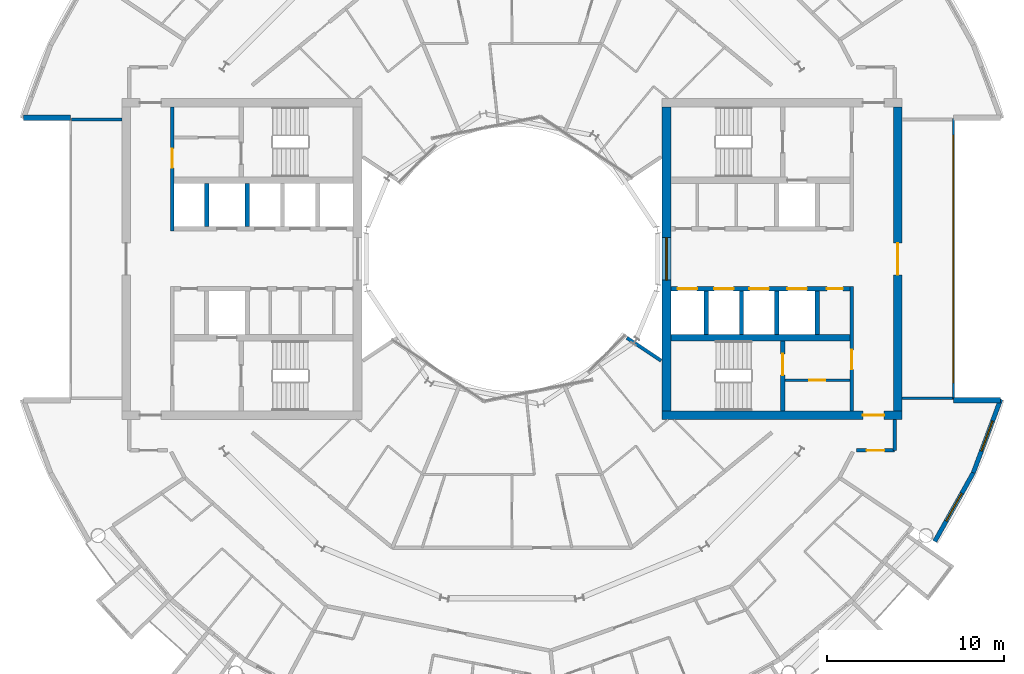
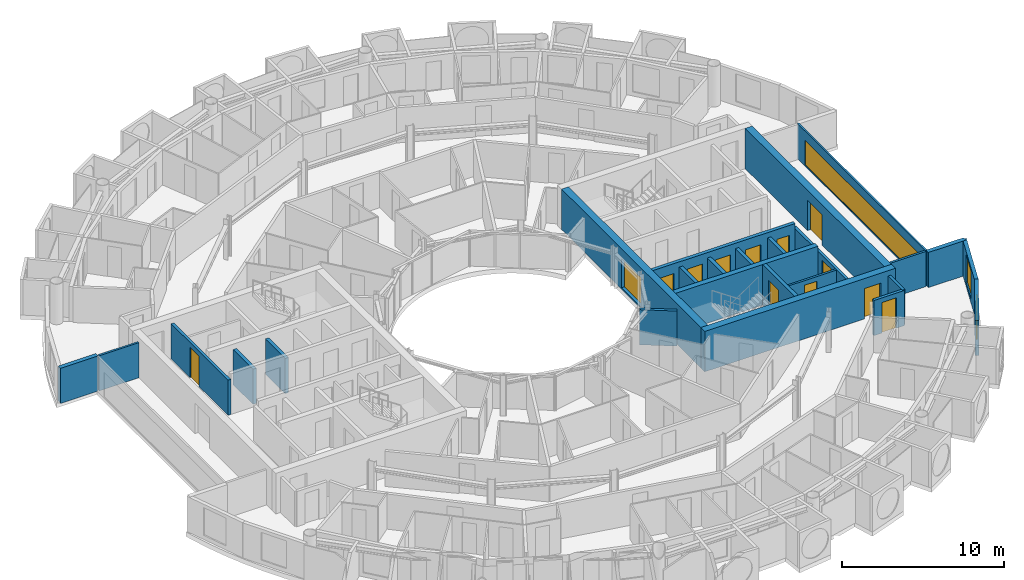
# One storey, part 18 of 26: 25 walls, 12 doors, 4 windows, 16 openings.
"""IFC4 building model written with IfcOpenShell, lengths in metres."""

from ifc_helpers import new_model, si_unit, direction, frame, frame_2d, origin, place, context, subcontext, project, spatial, rectangle, extrude, material, layer, layer_set, type_object, element, fill, save


model = new_model("IFC4")

# Units and contexts
model_context = context("Model", 3, precision=1e-05, world=origin(), true_north=direction((0.0, 1.0)))
body_context = subcontext(model_context, "Body", "Model", "MODEL_VIEW")
ifc_project = project(units=[si_unit("LENGTHUNIT", "METRE"), si_unit("AREAUNIT", "SQUARE_METRE"), si_unit("VOLUMEUNIT", "CUBIC_METRE"), si_unit("PLANEANGLEUNIT", "RADIAN"), si_unit("MASSUNIT", "GRAM", prefix="KILO")], contexts=[model_context])

# Site, building, storey
site_placement = place(None, origin())
site = spatial("IfcSite", under=ifc_project, at=site_placement, CompositionType="ELEMENT")
building_placement = place(site_placement, origin())
building = spatial("IfcBuilding", under=site, at=building_placement, Name="Maasbend Ring Residences", CompositionType="ELEMENT")
storey_placement = place(building_placement, frame((0.0, 0.0, 176.85009765625)))
storey = spatial("IfcBuildingStorey", under=building, at=storey_placement, Name="L51", CompositionType="ELEMENT", Elevation=176.85009765625)

# Wall, openings, doors
ifc_material_1 = material(Name="Concrete C60/75", Category="concrete")
ifc_layer_1 = layer(ifc_material_1, 0.25)
ifc_layer_set_1 = layer_set([ifc_layer_1], Name="Concrete C60/75")
wall_type_1 = type_object("IfcWallType", Name="CORE WALL 250 C60/75", PredefinedType="SHEAR", material=ifc_layer_set_1)
wall_1_placement = place(storey_placement, frame((19.14990234375, -1.699951171875, 0.0), z_axis=(0.0, 0.0, 1.0), x_axis=(-1.0, 0.0, 0.0)))
wall_1 = element("IfcWall", 1, at=wall_1_placement, inside=storey, type_object=wall_type_1, Name="L51 core E wall SPS", PredefinedType="SHEAR", context=body_context, shape_type="SweptSolid", body=[
    extrude(rectangle(XDim=10.14990234375, YDim=0.25, at=frame_2d((5.074951171875, 0.0))), origin(), (0.0, 0.0, 1.0), 3.0498046875),
])
opening_1_placement = place(wall_1_placement, frame((8.66259765625, 0.0, 0.0)))
opening_1 = element("IfcOpeningElement", 2, at=opening_1_placement, cuts=wall_1, Name="Opening LD-E5102", PredefinedType="OPENING", context=body_context, shape_type="SweptSolid", body=[
    extrude(rectangle(XDim=1.10009765625, YDim=2.300048828125, at=frame_2d((0.550048828125, 1.14990234375))), frame((0.0, 0.135009765625, 0.0), z_axis=(0.0, -1.0, 0.0), x_axis=(1.0, 0.0, 0.0)), (0.0, 0.0, 1.0), 0.27001953125),
])
opening_2_placement = place(wall_1_placement, frame((6.60009765625, 0.0, 0.0)))
opening_2 = element("IfcOpeningElement", 3, at=opening_2_placement, cuts=wall_1, Name="Opening LD-E5103", PredefinedType="OPENING", context=body_context, shape_type="SweptSolid", body=[
    extrude(rectangle(XDim=1.10009765625, YDim=2.300048828125, at=frame_2d((0.550048828125, 1.14990234375))), frame((0.0, 0.135009765625, 0.0), z_axis=(0.0, -1.0, 0.0), x_axis=(1.0, 0.0, 0.0)), (0.0, 0.0, 1.0), 0.27001953125),
])
opening_3_placement = place(wall_1_placement, frame((4.60009765625, 0.0, 0.0)))
opening_3 = element("IfcOpeningElement", 4, at=opening_3_placement, cuts=wall_1, Name="Opening LD-E5104", PredefinedType="OPENING", context=body_context, shape_type="SweptSolid", body=[
    extrude(rectangle(XDim=1.10009765625, YDim=2.300048828125, at=frame_2d((0.550048828125, 1.14990234375))), frame((0.0, 0.135009765625, 0.0), z_axis=(0.0, -1.0, 0.0), x_axis=(1.0, 0.0, 0.0)), (0.0, 0.0, 1.0), 0.27001953125),
])
opening_4_placement = place(wall_1_placement, frame((2.449951171875, 0.0, 0.0)))
opening_4 = element("IfcOpeningElement", 5, at=opening_4_placement, cuts=wall_1, Name="Opening LD-E5105", PredefinedType="OPENING", context=body_context, shape_type="SweptSolid", body=[
    extrude(rectangle(XDim=1.10009765625, YDim=2.300048828125, at=frame_2d((0.550048828125, 1.14990234375))), frame((0.0, 0.135009765625, 0.0), z_axis=(0.0, -1.0, 0.0), x_axis=(1.0, 0.0, 0.0)), (0.0, 0.0, 1.0), 0.27001953125),
])
opening_5_placement = place(wall_1_placement, frame((0.41259765625, 0.0, 0.0)))
opening_5 = element("IfcOpeningElement", 6, at=opening_5_placement, cuts=wall_1, Name="Opening D-E5110", PredefinedType="OPENING", context=body_context, shape_type="SweptSolid", body=[
    extrude(rectangle(XDim=0.89990234375, YDim=2.300048828125, at=frame_2d((0.449951171875, 1.14990234375))), frame((0.0, 0.135009765625, 0.0), z_axis=(0.0, -1.0, 0.0), x_axis=(1.0, 0.0, 0.0)), (0.0, 0.0, 1.0), 0.27001953125),
])
ifc_material_2 = material(Name="Stainless steel 316", Category="steel")
door_type_1 = type_object("IfcDoorType", Name="LANDING DOOR 1100 X 2300 FD60", OperationType="DOUBLE_DOOR_SLIDING", PredefinedType="DOOR", material=ifc_material_2)
door_1_placement = place(opening_1_placement, origin())
door_1 = element("IfcDoor", 7, at=door_1_placement, inside=storey, type_object=door_type_1, Name="Landing door HR-E1 L51", OperationType="DOUBLE_DOOR_SLIDING", OverallHeight=2.300048828125, OverallWidth=1.10009765625, PredefinedType="DOOR", context=body_context, shape_type="SweptSolid", body=[
    extrude(rectangle(XDim=1.10009765625, YDim=2.300048828125, at=frame_2d((0.550048828125, 1.14990234375))), frame((0.0, 0.02490234375, 0.0), z_axis=(0.0, -1.0, 0.0), x_axis=(1.0, 0.0, 0.0)), (0.0, 0.0, 1.0), 0.050048828125),
])
fill(opening_1, door_1)
door_2_placement = place(opening_2_placement, origin())
door_2 = element("IfcDoor", 8, at=door_2_placement, inside=storey, type_object=door_type_1, Name="Landing door HR-E2 L51", OperationType="DOUBLE_DOOR_SLIDING", OverallHeight=2.300048828125, OverallWidth=1.10009765625, PredefinedType="DOOR", context=body_context, shape_type="SweptSolid", body=[
    extrude(rectangle(XDim=1.10009765625, YDim=2.300048828125, at=frame_2d((0.550048828125, 1.14990234375))), frame((0.0, 0.02490234375, 0.0), z_axis=(0.0, -1.0, 0.0), x_axis=(1.0, 0.0, 0.0)), (0.0, 0.0, 1.0), 0.050048828125),
])
fill(opening_2, door_2)
door_3_placement = place(opening_3_placement, origin())
door_3 = element("IfcDoor", 9, at=door_3_placement, inside=storey, type_object=door_type_1, Name="Landing door HR-E3 L51", OperationType="DOUBLE_DOOR_SLIDING", OverallHeight=2.300048828125, OverallWidth=1.10009765625, PredefinedType="DOOR", context=body_context, shape_type="SweptSolid", body=[
    extrude(rectangle(XDim=1.10009765625, YDim=2.300048828125, at=frame_2d((0.550048828125, 1.14990234375))), frame((0.0, 0.02490234375, 0.0), z_axis=(0.0, -1.0, 0.0), x_axis=(1.0, 0.0, 0.0)), (0.0, 0.0, 1.0), 0.050048828125),
])
fill(opening_3, door_3)
door_4_placement = place(opening_4_placement, origin())
door_4 = element("IfcDoor", 10, at=door_4_placement, inside=storey, type_object=door_type_1, Name="Landing door SV-E L51", OperationType="DOUBLE_DOOR_SLIDING", OverallHeight=2.300048828125, OverallWidth=1.10009765625, PredefinedType="DOOR", context=body_context, shape_type="SweptSolid", body=[
    extrude(rectangle(XDim=1.10009765625, YDim=2.300048828125, at=frame_2d((0.550048828125, 1.14990234375))), frame((0.0, 0.02490234375, 0.0), z_axis=(0.0, -1.0, 0.0), x_axis=(1.0, 0.0, 0.0)), (0.0, 0.0, 1.0), 0.050048828125),
])
fill(opening_4, door_4)
ifc_material_3 = material(Name="Steel, powder coated", Category="steel")
door_type_2 = type_object("IfcDoorType", Name="ROOM DOOR 900 X 2300 FD30S", OperationType="NOTDEFINED", PredefinedType="DOOR", material=ifc_material_3)
door_5_placement = place(opening_5_placement, origin())
door_5 = element("IfcDoor", 11, at=door_5_placement, inside=storey, type_object=door_type_2, Name="Room door L51", OperationType="SINGLE_SWING_RIGHT", OverallHeight=2.300048828125, OverallWidth=0.89990234375, PredefinedType="DOOR", context=body_context, shape_type="SweptSolid", body=[
    extrude(rectangle(XDim=0.89990234375, YDim=2.300048828125, at=frame_2d((0.449951171875, 1.14990234375))), frame((0.0, 0.02490234375, 0.0), z_axis=(0.0, -1.0, 0.0), x_axis=(1.0, 0.0, 0.0)), (0.0, 0.0, 1.0), 0.050048828125),
])
fill(opening_5, door_5)

# Wall, opening, door
wall_2_placement = place(storey_placement, frame((15.324951171875, -8.60009765625, 0.0), z_axis=(0.0, 0.0, 1.0), x_axis=(0.0, 1.0, 0.0)))
wall_2 = element("IfcWall", 12, at=wall_2_placement, inside=storey, type_object=wall_type_1, Name="L51 core E wall STES", PredefinedType="SHEAR", context=body_context, shape_type="SweptSolid", body=[
    extrude(rectangle(XDim=3.9501953125, YDim=0.25, at=frame_2d((1.97509765625, 0.0))), origin(), (0.0, 0.0, 1.0), 3.0498046875),
])
opening_6_placement = place(wall_2_placement, frame((2.02490234375, 0.0, 0.0)))
opening_6 = element("IfcOpeningElement", 13, at=opening_6_placement, cuts=wall_2, Name="Opening D-E5113", PredefinedType="OPENING", context=body_context, shape_type="SweptSolid", body=[
    extrude(rectangle(XDim=1.199951171875, YDim=2.300048828125, at=frame_2d((0.60009765625, 1.14990234375))), frame((0.0, 0.135009765625, 0.0), z_axis=(0.0, -1.0, 0.0), x_axis=(1.0, 0.0, 0.0)), (0.0, 0.0, 1.0), 0.27001953125),
])
ifc_material_4 = material(Name="Steel, powder coated", Category="steel")
door_type_3 = type_object("IfcDoorType", Name="STAIR DOOR 1200 X 2300 FD60", OperationType="NOTDEFINED", PredefinedType="DOOR", material=ifc_material_4)
door_6_placement = place(opening_6_placement, origin())
door_6 = element("IfcDoor", 14, at=door_6_placement, inside=storey, type_object=door_type_3, Name="Stair door ST-E L51", OperationType="SINGLE_SWING_LEFT", OverallHeight=2.300048828125, OverallWidth=1.199951171875, PredefinedType="DOOR", context=body_context, shape_type="SweptSolid", body=[
    extrude(rectangle(XDim=1.199951171875, YDim=2.300048828125, at=frame_2d((0.60009765625, 1.14990234375))), frame((0.0, 0.02490234375, 0.0), z_axis=(0.0, -1.0, 0.0), x_axis=(1.0, 0.0, 0.0)), (0.0, 0.0, 1.0), 0.050048828125),
])
fill(opening_6, door_6)

# Wall
ifc_material_5 = material(Name="Concrete C60/75", Category="concrete")
ifc_layer_2 = layer(ifc_material_5, 0.375)
ifc_layer_set_2 = layer_set([ifc_layer_2], Name="Concrete C60/75")
wall_type_2 = type_object("IfcWallType", Name="CORE WALL 375 C60/75", PredefinedType="SHEAR", material=ifc_layer_set_2)
wall_3_placement = place(storey_placement, frame((9.0, -4.46240234375, 0.0), z_axis=(0.0, 0.0, 1.0), x_axis=(1.0, 0.0, 0.0)))
element("IfcWall", 15, at=wall_3_placement, inside=storey, type_object=wall_type_2, Name="L51 core E wall BS", PredefinedType="SHEAR", context=body_context, shape_type="SweptSolid", body=[
    extrude(rectangle(XDim=10.14990234375, YDim=0.375, at=frame_2d((5.074951171875, 0.0))), origin(), (0.0, 0.0, 1.0), 3.0498046875),
])

# Wall, opening, door
ifc_material_6 = material(Name="Concrete C60/75", Category="concrete")
ifc_layer_3 = layer(ifc_material_6, 0.5)
ifc_layer_set_3 = layer_set([ifc_layer_3], Name="Concrete C60/75")
wall_type_3 = type_object("IfcWallType", Name="CORE WALL 500 C60/75", PredefinedType="SHEAR", material=ifc_layer_set_3)
wall_4_placement = place(storey_placement, frame((8.5, -8.85009765625, 0.0), z_axis=(0.0, 0.0, 1.0), x_axis=(1.0, 0.0, 0.0)))
wall_4 = element("IfcWall", 16, at=wall_4_placement, inside=storey, type_object=wall_type_3, Name="L51 core E wall PS", PredefinedType="SHEAR", context=body_context, shape_type="SweptSolid", body=[
    extrude(rectangle(XDim=13.60009765625, YDim=0.5, at=frame_2d((6.800048828125, 0.0))), origin(), (0.0, 0.0, 1.0), 3.0498046875),
])
opening_7_placement = place(wall_4_placement, frame((11.375, 0.0, 0.0)))
opening_7 = element("IfcOpeningElement", 17, at=opening_7_placement, cuts=wall_4, Name="Opening D-E5117", PredefinedType="OPENING", context=body_context, shape_type="SweptSolid", body=[
    extrude(rectangle(XDim=1.199951171875, YDim=2.300048828125, at=frame_2d((0.60009765625, 1.14990234375))), frame((0.0, 0.260009765625, 0.0), z_axis=(0.0, -1.0, 0.0), x_axis=(1.0, 0.0, 0.0)), (0.0, 0.0, 1.0), 0.52001953125),
])
ifc_material_7 = material(Name="Steel, powder coated", Category="steel")
door_type_4 = type_object("IfcDoorType", Name="CORRIDOR DOOR 1200 X 2300 FD30S", OperationType="NOTDEFINED", PredefinedType="DOOR", material=ifc_material_7)
door_7_placement = place(opening_7_placement, origin())
door_7 = element("IfcDoor", 18, at=door_7_placement, inside=storey, type_object=door_type_4, Name="Corridor door L51", OperationType="SINGLE_SWING_LEFT", OverallHeight=2.300048828125, OverallWidth=1.199951171875, PredefinedType="DOOR", context=body_context, shape_type="SweptSolid", body=[
    extrude(rectangle(XDim=1.199951171875, YDim=2.300048828125, at=frame_2d((0.60009765625, 1.14990234375))), frame((0.0, 0.02490234375, 0.0), z_axis=(0.0, -1.0, 0.0), x_axis=(1.0, 0.0, 0.0)), (0.0, 0.0, 1.0), 0.050048828125),
])
fill(opening_7, door_7)

wall_5_placement = place(storey_placement, frame((21.85009765625, 8.60009765625, 0.0), z_axis=(0.0, 0.0, 1.0), x_axis=(0.0, -1.0, 0.0)))
wall_5 = element("IfcWall", 19, at=wall_5_placement, inside=storey, type_object=wall_type_3, Name="L51 core E wall POUT", PredefinedType="SHEAR", context=body_context, shape_type="SweptSolid", body=[
    extrude(rectangle(XDim=17.2001953125, YDim=0.5, at=frame_2d((8.60009765625, 0.0))), origin(), (0.0, 0.0, 1.0), 3.0498046875),
])
opening_8_placement = place(wall_5_placement, frame((7.699951171875, 0.0, 0.0)))
opening_8 = element("IfcOpeningElement", 20, at=opening_8_placement, cuts=wall_5, Name="Opening D-E5118", PredefinedType="OPENING", context=body_context, shape_type="SweptSolid", body=[
    extrude(rectangle(XDim=1.800048828125, YDim=2.300048828125, at=frame_2d((0.89990234375, 1.14990234375))), frame((0.0, 0.260009765625, 0.0), z_axis=(0.0, -1.0, 0.0), x_axis=(1.0, 0.0, 0.0)), (0.0, 0.0, 1.0), 0.52001953125),
])
ifc_material_8 = material(Name="Aluminium frame, clear glass", Category="aluminium")
door_type_5 = type_object("IfcDoorType", Name="ENTRANCE DOOR 1800 X 2300 FD60", OperationType="NOTDEFINED", PredefinedType="DOOR", material=ifc_material_8)
door_8_placement = place(opening_8_placement, origin())
door_8 = element("IfcDoor", 21, at=door_8_placement, inside=storey, type_object=door_type_5, Name="Lobby glazed door L51", OperationType="SINGLE_SWING_LEFT", OverallHeight=2.300048828125, OverallWidth=1.800048828125, PredefinedType="DOOR", context=body_context, shape_type="SweptSolid", body=[
    extrude(rectangle(XDim=1.800048828125, YDim=2.300048828125, at=frame_2d((0.89990234375, 1.14990234375))), frame((0.0, 0.02490234375, 0.0), z_axis=(0.0, -1.0, 0.0), x_axis=(1.0, 0.0, 0.0)), (0.0, 0.0, 1.0), 0.050048828125),
])
fill(opening_8, door_8)

# Wall, opening, window
wall_6_placement = place(storey_placement, frame((8.75, -8.60009765625, 0.0), z_axis=(0.0, 0.0, 1.0), x_axis=(0.0, 1.0, 0.0)))
wall_6 = element("IfcWall", 22, at=wall_6_placement, inside=storey, type_object=wall_type_3, Name="L51 core E wall PIN", PredefinedType="SHEAR", context=body_context, shape_type="SweptSolid", body=[
    extrude(rectangle(XDim=17.2001953125, YDim=0.5, at=frame_2d((8.60009765625, 0.0))), origin(), (0.0, 0.0, 1.0), 3.0498046875),
])
opening_9_placement = place(wall_6_placement, frame((7.39990234375, 0.0, 0.10009765625)))
opening_9 = element("IfcOpeningElement", 23, at=opening_9_placement, cuts=wall_6, Name="Opening W-E5101", PredefinedType="OPENING", context=body_context, shape_type="SweptSolid", body=[
    extrude(rectangle(XDim=2.39990234375, YDim=2.199951171875, at=frame_2d((1.199951171875, 1.10009765625))), frame((0.0, 0.260009765625, 0.0), z_axis=(0.0, -1.0, 0.0), x_axis=(1.0, 0.0, 0.0)), (0.0, 0.0, 1.0), 0.52001953125),
])
ifc_material_9 = material(Name="Aluminium frame and clear glass", Category="aluminium")
window_type_1 = type_object("IfcWindowType", Name="FIXED WINDOW 2400 X 2200", PartitioningType="SINGLE_PANEL", PredefinedType="WINDOW", material=ifc_material_9)
window_1_placement = place(opening_9_placement, origin())
window_1 = element("IfcWindow", 24, at=window_1_placement, inside=storey, type_object=window_type_1, Name="Lobby window L51", OverallHeight=2.199951171875, OverallWidth=2.39990234375, PartitioningType="SINGLE_PANEL", PredefinedType="WINDOW", context=body_context, shape_type="SweptSolid", body=[
    extrude(rectangle(XDim=2.39990234375, YDim=2.199951171875, at=frame_2d((1.199951171875, 1.10009765625))), frame((0.0, 0.030029296875, 0.0), z_axis=(0.0, -1.0, 0.0), x_axis=(1.0, 0.0, 0.0)), (0.0, 0.0, 1.0), 0.06005859375),
])
fill(opening_9, window_1)

# Wall
ifc_material_10 = material(Name="Concrete C30/37", Category="concrete")
ifc_layer_4 = layer(ifc_material_10, 0.199951171875)
ifc_layer_set_4 = layer_set([ifc_layer_4], Name="Concrete C30/37")
wall_type_4 = type_object("IfcWallType", Name="CORRIDOR WALL 200 CONCRETE", PredefinedType="PARTITIONING", material=ifc_layer_set_4)
wall_7_placement = place(storey_placement, frame((21.675048828125, -10.85009765625, 0.0), z_axis=(0.0, 0.0, 1.0), x_axis=(0.0, 1.0, 0.0)))
element("IfcWall", 25, at=wall_7_placement, inside=storey, type_object=wall_type_4, Name="U-L51-w012", PredefinedType="PARTITIONING", context=body_context, shape_type="SweptSolid", body=[
    extrude(rectangle(XDim=1.75, YDim=0.199951171875, at=frame_2d((0.875, 0.0))), origin(), (0.0, 0.0, 1.0), 2.64990234375),
])

# Wall, opening, door
wall_8_placement = place(storey_placement, frame((19.50390625, -10.85009765625, 0.0), z_axis=(0.0, 0.0, 1.0), x_axis=(1.0, 0.0, 0.0)))
wall_8 = element("IfcWall", 26, at=wall_8_placement, inside=storey, type_object=wall_type_4, Name="U-L51-w027", PredefinedType="PARTITIONING", context=body_context, shape_type="SweptSolid", body=[
    extrude(rectangle(XDim=2.171142578125, YDim=0.199951171875, at=frame_2d((1.08544921875, 0.0))), origin(), (0.0, 0.0, 1.0), 2.64990234375),
])
opening_10_placement = place(wall_8_placement, frame((0.5849609375, 0.0, 0.0)))
opening_10 = element("IfcOpeningElement", 27, at=opening_10_placement, cuts=wall_8, Name="Opening D-5167", PredefinedType="OPENING", context=body_context, shape_type="SweptSolid", body=[
    extrude(rectangle(XDim=1.0, YDim=2.300048828125, at=frame_2d((0.5, 1.14990234375))), frame((0.0, 0.10986328125, 0.0), z_axis=(0.0, -1.0, 0.0), x_axis=(1.0, 0.0, 0.0)), (0.0, 0.0, 1.0), 0.219970703125),
])
ifc_material_11 = material(Name="Timber, painted", Category="wood")
door_type_6 = type_object("IfcDoorType", Name="ROOM DOOR 1000 X 2300", OperationType="NOTDEFINED", PredefinedType="DOOR", material=ifc_material_11)
door_9_placement = place(opening_10_placement, origin())
door_9 = element("IfcDoor", 28, at=door_9_placement, inside=storey, type_object=door_type_6, Name="D-5167", OperationType="SINGLE_SWING_LEFT", OverallHeight=2.300048828125, OverallWidth=1.0, PredefinedType="DOOR", context=body_context, shape_type="SweptSolid", body=[
    extrude(rectangle(XDim=1.0, YDim=2.300048828125, at=frame_2d((0.5, 1.14990234375))), frame((0.0, 0.02490234375, 0.0), z_axis=(0.0, -1.0, 0.0), x_axis=(1.0, 0.0, 0.0)), (0.0, 0.0, 1.0), 0.050048828125),
])
fill(opening_10, door_9)

# Wall, opening, window
ifc_material_12 = material(Name="Aluminium clad insulated panel", Category="aluminium")
ifc_layer_5 = layer(ifc_material_12, 0.25)
ifc_layer_set_5 = layer_set([ifc_layer_5], Name="EW-HORN")
wall_type_5 = type_object("IfcWallType", Name="EW-HORN", PredefinedType="SOLIDWALL", material=ifc_layer_set_5)
wall_9_placement = place(storey_placement, frame((23.946044921875, -16.0, 0.0), z_axis=(0.0, 0.0, 1.0), x_axis=(0.489696356642, 0.871893042919, 0.0)))
wall_9 = element("IfcWall", 29, at=wall_9_placement, inside=storey, type_object=wall_type_5, Name="Horn wall 2.1", PredefinedType="SOLIDWALL", context=body_context, shape_type="SweptSolid", body=[
    extrude(rectangle(XDim=4.45361328125, YDim=0.25, at=frame_2d((2.226806640625, 0.0))), origin(), (0.0, 0.0, 1.0), 2.64990234375),
])
opening_11_placement = place(wall_9_placement, frame((1.32666015625, 0.0, 0.300048828125)))
opening_11 = element("IfcOpeningElement", 30, at=opening_11_placement, cuts=wall_9, Name="Opening W-BX", PredefinedType="OPENING", context=body_context, shape_type="SweptSolid", body=[
    extrude(rectangle(XDim=1.800048828125, YDim=2.10009765625, at=frame_2d((0.89990234375, 1.050048828125))), frame((0.0, 0.135009765625, 0.0), z_axis=(0.0, -1.0, 0.0), x_axis=(1.0, 0.0, 0.0)), (0.0, 0.0, 1.0), 0.27001953125),
])
ifc_material_13 = material(Name="Aluminium and clear glass", Category="aluminium")
window_type_2 = type_object("IfcWindowType", Name="W-BX", PartitioningType="DOUBLE_PANEL_VERTICAL", PredefinedType="WINDOW", material=ifc_material_13)
window_2_placement = place(opening_11_placement, origin())
window_2 = element("IfcWindow", 31, at=window_2_placement, inside=storey, type_object=window_type_2, Name="Horn window 2.1", OverallHeight=2.10009765625, OverallWidth=1.800048828125, PartitioningType="SINGLE_PANEL", PredefinedType="WINDOW", context=body_context, shape_type="SweptSolid", body=[
    extrude(rectangle(XDim=1.800048828125, YDim=2.10009765625, at=frame_2d((0.89990234375, 1.050048828125))), frame((0.0, 0.030029296875, 0.0), z_axis=(0.0, -1.0, 0.0), x_axis=(1.0, 0.0, 0.0)), (0.0, 0.0, 1.0), 0.06005859375),
])
fill(opening_11, window_2)

wall_10_placement = place(storey_placement, frame((26.126953125, -12.116943359375, 0.0), z_axis=(0.0, 0.0, 1.0), x_axis=(0.349247811493, 0.937030397675, 0.0)))
wall_10 = element("IfcWall", 32, at=wall_10_placement, inside=storey, type_object=wall_type_5, Name="Horn wall 2.2", PredefinedType="SOLIDWALL", context=body_context, shape_type="SweptSolid", body=[
    extrude(rectangle(XDim=4.4521484375, YDim=0.25, at=frame_2d((2.22607421875, 0.0))), origin(), (0.0, 0.0, 1.0), 2.64990234375),
])
opening_12_placement = place(wall_10_placement, frame((1.32666015625, 0.0, 0.300048828125)))
opening_12 = element("IfcOpeningElement", 33, at=opening_12_placement, cuts=wall_10, Name="Opening W-BX", PredefinedType="OPENING", context=body_context, shape_type="SweptSolid", body=[
    extrude(rectangle(XDim=1.800048828125, YDim=2.10009765625, at=frame_2d((0.89990234375, 1.050048828125))), frame((0.0, 0.135009765625, 0.0), z_axis=(0.0, -1.0, 0.0), x_axis=(1.0, 0.0, 0.0)), (0.0, 0.0, 1.0), 0.27001953125),
])
window_3_placement = place(opening_12_placement, origin())
window_3 = element("IfcWindow", 34, at=window_3_placement, inside=storey, type_object=window_type_2, Name="Horn window 2.2", OverallHeight=2.10009765625, OverallWidth=1.800048828125, PartitioningType="SINGLE_PANEL", PredefinedType="WINDOW", context=body_context, shape_type="SweptSolid", body=[
    extrude(rectangle(XDim=1.800048828125, YDim=2.10009765625, at=frame_2d((0.89990234375, 1.050048828125))), frame((0.0, 0.030029296875, 0.0), z_axis=(0.0, -1.0, 0.0), x_axis=(1.0, 0.0, 0.0)), (0.0, 0.0, 1.0), 0.06005859375),
])
fill(opening_12, window_3)

# Walls
ifc_material_14 = material(Name="Aluminium clad insulated panel", Category="aluminium")
ifc_layer_6 = layer(ifc_material_14, 0.300048828125)
ifc_layer_set_6 = layer_set([ifc_layer_6], Name="EW-RET")
wall_type_6 = type_object("IfcWallType", Name="EW-RET", PredefinedType="SOLIDWALL", material=ifc_layer_set_6)
for number, where, z_axis, x_axis, name in (
    (35, (25.0, -8.0, 0.0), (0.0, 0.0, 1.0), (1.0, 0.0, 0.0), "Notch return wall east south"),
    (36, (-25.0, 8.0, 0.0), (0.0, 0.0, 1.0), (-1.0, 0.0, 0.0), "Notch return wall west north"),
):
    element("IfcWall", number, at=place(storey_placement, frame(where, z_axis=z_axis, x_axis=x_axis)), inside=storey, type_object=wall_type_6, Name=name, PredefinedType="SOLIDWALL", context=body_context, shape_type="SweptSolid", body=[
        extrude(rectangle(XDim=2.6669921875, YDim=0.300048828125, at=frame_2d((1.33349609375, 0.0))), origin(), (0.0, 0.0, 1.0), 2.64990234375),
    ])

# Wall, opening, window
ifc_material_15 = material(Name="Aluminium frame and clear glass", Category="aluminium")
ifc_layer_7 = layer(ifc_material_15, 0.1201171875)
ifc_layer_set_7 = layer_set([ifc_layer_7], Name="GLAZED SCREEN WALL 120 EI 60")
wall_type_7 = type_object("IfcWallType", Name="GLAZED SCREEN WALL 120 EI 60", PredefinedType="PARTITIONING", material=ifc_layer_set_7)
wall_11_placement = place(storey_placement, frame((25.0, -7.949951171875, 0.0), z_axis=(0.0, 0.0, 1.0), x_axis=(0.0, 1.0, 0.0)))
wall_11 = element("IfcWall", 37, at=wall_11_placement, inside=storey, type_object=wall_type_7, Name="L51 core E wall FACE", PredefinedType="PARTITIONING", context=body_context, shape_type="SweptSolid", body=[
    extrude(rectangle(XDim=15.89990234375, YDim=0.1201171875, at=frame_2d((7.949951171875, 0.0))), origin(), (0.0, 0.0, 1.0), 2.64990234375),
])
opening_13_placement = place(wall_11_placement, frame((0.949951171875, 0.0, 0.10009765625)))
opening_13 = element("IfcOpeningElement", 38, at=opening_13_placement, cuts=wall_11, Name="Opening W-E5102", PredefinedType="OPENING", context=body_context, shape_type="SweptSolid", body=[
    extrude(rectangle(XDim=14.0, YDim=1.85009765625, at=frame_2d((7.0, 0.925048828125))), frame((0.0, 0.070068359375, 0.0), z_axis=(0.0, -1.0, 0.0), x_axis=(1.0, 0.0, 0.0)), (0.0, 0.0, 1.0), 0.14013671875),
])
ifc_material_16 = material(Name="Aluminium frame and clear glass", Category="aluminium")
window_type_3 = type_object("IfcWindowType", Name="FIXED WINDOW 14000 X 1850", PartitioningType="SINGLE_PANEL", PredefinedType="WINDOW", material=ifc_material_16)
window_4_placement = place(opening_13_placement, origin())
window_4 = element("IfcWindow", 39, at=window_4_placement, inside=storey, type_object=window_type_3, Name="Lobby window L51", OverallHeight=1.85009765625, OverallWidth=14.0, PartitioningType="SINGLE_PANEL", PredefinedType="WINDOW", context=body_context, shape_type="SweptSolid", body=[
    extrude(rectangle(XDim=14.0, YDim=1.85009765625, at=frame_2d((7.0, 0.925048828125))), frame((0.0, 0.030029296875, 0.0), z_axis=(0.0, -1.0, 0.0), x_axis=(1.0, 0.0, 0.0)), (0.0, 0.0, 1.0), 0.06005859375),
])
fill(opening_13, window_4)

# Wall, opening, door
ifc_material_17 = material(Name="Gypsum board on steel studs", Category="steel")
ifc_layer_8 = layer(ifc_material_17, 0.14990234375)
ifc_layer_set_8 = layer_set([ifc_layer_8], Name="PARTITION 150 EI 60")
wall_type_8 = type_object("IfcWallType", Name="PARTITION 150 EI 60", PredefinedType="PARTITIONING", material=ifc_layer_set_8)
wall_12_placement = place(storey_placement, frame((15.449951171875, -6.875, 0.0), z_axis=(0.0, 0.0, 1.0), x_axis=(1.0, 0.0, 0.0)))
wall_12 = element("IfcWall", 40, at=wall_12_placement, inside=storey, type_object=wall_type_8, Name="L51 core E wall RHS", PredefinedType="PARTITIONING", context=body_context, shape_type="SweptSolid", body=[
    extrude(rectangle(XDim=3.699951171875, YDim=0.14990234375, at=frame_2d((1.85009765625, 0.0))), origin(), (0.0, 0.0, 1.0), 2.64990234375),
])
opening_14_placement = place(wall_12_placement, frame((1.39990234375, 0.0, 0.0)))
opening_14 = element("IfcOpeningElement", 41, at=opening_14_placement, cuts=wall_12, Name="Opening D-E5111", PredefinedType="OPENING", context=body_context, shape_type="SweptSolid", body=[
    extrude(rectangle(XDim=0.89990234375, YDim=2.300048828125, at=frame_2d((0.449951171875, 1.14990234375))), frame((0.0, 0.0849609375, 0.0), z_axis=(0.0, -1.0, 0.0), x_axis=(1.0, 0.0, 0.0)), (0.0, 0.0, 1.0), 0.169921875),
])
ifc_material_18 = material(Name="Steel, powder coated", Category="steel")
door_type_7 = type_object("IfcDoorType", Name="RISER DOOR 900 X 2300 FD60", OperationType="NOTDEFINED", PredefinedType="DOOR", material=ifc_material_18)
door_10_placement = place(opening_14_placement, origin())
door_10 = element("IfcDoor", 42, at=door_10_placement, inside=storey, type_object=door_type_7, Name="Riser door L51", OperationType="SINGLE_SWING_LEFT", OverallHeight=2.300048828125, OverallWidth=0.89990234375, PredefinedType="DOOR", context=body_context, shape_type="SweptSolid", body=[
    extrude(rectangle(XDim=0.89990234375, YDim=2.300048828125, at=frame_2d((0.449951171875, 1.14990234375))), frame((0.0, 0.02490234375, 0.0), z_axis=(0.0, -1.0, 0.0), x_axis=(1.0, 0.0, 0.0)), (0.0, 0.0, 1.0), 0.050048828125),
])
fill(opening_14, door_10)

# Walls
for number, where, z_axis, x_axis, name in (
    (43, (22.10009765625, -7.89990234375, 0.0), (0.0, 0.0, 1.0), (1.0, 0.0, 0.0), "L51 core E wall CITS"),
    (44, (-22.10009765625, 7.89990234375, 0.0), (0.0, 0.0, 1.0), (-1.0, 0.0, 0.0), "L51 core W wall CITS"),
):
    element("IfcWall", number, at=place(storey_placement, frame(where, z_axis=z_axis, x_axis=x_axis)), inside=storey, type_object=wall_type_8, Name=name, PredefinedType="PARTITIONING", context=body_context, shape_type="SweptSolid", body=[
        extrude(rectangle(XDim=2.83984375, YDim=0.14990234375, at=frame_2d((1.419921875, 0.0))), origin(), (0.0, 0.0, 1.0), 2.64990234375),
    ])
ifc_material_19 = material(Name="Concrete C30/37", Category="concrete")
ifc_layer_9 = layer(ifc_material_19, 0.199951171875)
ifc_layer_set_9 = layer_set([ifc_layer_9], Name="Concrete C30/37")
wall_type_9 = type_object("IfcWallType", Name="PARTY WALL 200 CONCRETE", PredefinedType="PARTITIONING", material=ifc_layer_set_9)
wall_13_placement = place(storey_placement, frame((6.512939453125, -4.471923828125, 0.0), z_axis=(0.0, 0.0, 1.0), x_axis=(0.83133816625, -0.555766905579, 0.0)))
element("IfcWall", 45, at=wall_13_placement, inside=storey, type_object=wall_type_9, Name="U-L51-w029", PredefinedType="PARTITIONING", context=body_context, shape_type="SweptSolid", body=[
    extrude(rectangle(XDim=2.322998046875, YDim=0.199951171875, at=frame_2d((1.16162109375, 0.0))), origin(), (0.0, 0.0, 1.0), 2.64990234375),
])

# Wall, opening, door
ifc_material_20 = material(Name="Concrete C30/37", Category="concrete")
ifc_layer_10 = layer(ifc_material_20, 0.199951171875)
ifc_layer_set_10 = layer_set([ifc_layer_10], Name="Concrete C30/37")
wall_type_10 = type_object("IfcWallType", Name="SHAFT WALL 200 EI 120", PredefinedType="SOLIDWALL", material=ifc_layer_set_10)
wall_14_placement = place(storey_placement, frame((19.25, -8.60009765625, 0.0), z_axis=(0.0, 0.0, 1.0), x_axis=(0.0, 1.0, 0.0)))
wall_14 = element("IfcWall", 46, at=wall_14_placement, inside=storey, type_object=wall_type_10, Name="L51 core E wall ENDS", PredefinedType="SOLIDWALL", context=body_context, shape_type="SweptSolid", body=[
    extrude(rectangle(XDim=7.025146484375, YDim=0.199951171875, at=frame_2d((3.5126953125, 0.0))), origin(), (0.0, 0.0, 1.0), 2.64990234375),
])
opening_15_placement = place(wall_14_placement, frame((2.35009765625, 0.0, 0.0)))
opening_15 = element("IfcOpeningElement", 47, at=opening_15_placement, cuts=wall_14, Name="Opening D-E5115", PredefinedType="OPENING", context=body_context, shape_type="SweptSolid", body=[
    extrude(rectangle(XDim=1.10009765625, YDim=2.300048828125, at=frame_2d((0.550048828125, 1.14990234375))), frame((0.0, 0.10986328125, 0.0), z_axis=(0.0, -1.0, 0.0), x_axis=(1.0, 0.0, 0.0)), (0.0, 0.0, 1.0), 0.219970703125),
])
ifc_material_21 = material(Name="Steel, powder coated", Category="steel")
door_type_8 = type_object("IfcDoorType", Name="LOBBY DOOR 1100 X 2300 FD60", OperationType="NOTDEFINED", PredefinedType="DOOR", material=ifc_material_21)
door_11_placement = place(opening_15_placement, origin())
door_11 = element("IfcDoor", 48, at=door_11_placement, inside=storey, type_object=door_type_8, Name="Lobby door L51", OperationType="SINGLE_SWING_RIGHT", OverallHeight=2.300048828125, OverallWidth=1.10009765625, PredefinedType="DOOR", context=body_context, shape_type="SweptSolid", body=[
    extrude(rectangle(XDim=1.10009765625, YDim=2.300048828125, at=frame_2d((0.550048828125, 1.14990234375))), frame((0.0, 0.02490234375, 0.0), z_axis=(0.0, -1.0, 0.0), x_axis=(1.0, 0.0, 0.0)), (0.0, 0.0, 1.0), 0.050048828125),
])
fill(opening_15, door_11)

wall_15_placement = place(storey_placement, frame((-19.25, 8.60009765625, 0.0), z_axis=(0.0, 0.0, 1.0), x_axis=(0.0, -1.0, 0.0)))
wall_15 = element("IfcWall", 49, at=wall_15_placement, inside=storey, type_object=wall_type_10, Name="L51 core W wall ENDS", PredefinedType="SOLIDWALL", context=body_context, shape_type="SweptSolid", body=[
    extrude(rectangle(XDim=7.025146484375, YDim=0.199951171875, at=frame_2d((3.5126953125, 0.0))), origin(), (0.0, 0.0, 1.0), 2.64990234375),
])
opening_16_placement = place(wall_15_placement, frame((2.35009765625, 0.0, 0.0)))
opening_16 = element("IfcOpeningElement", 50, at=opening_16_placement, cuts=wall_15, Name="Opening D-W5115", PredefinedType="OPENING", context=body_context, shape_type="SweptSolid", body=[
    extrude(rectangle(XDim=1.10009765625, YDim=2.300048828125, at=frame_2d((0.550048828125, 1.14990234375))), frame((0.0, 0.10986328125, 0.0), z_axis=(0.0, -1.0, 0.0), x_axis=(1.0, 0.0, 0.0)), (0.0, 0.0, 1.0), 0.219970703125),
])
door_12_placement = place(opening_16_placement, origin())
door_12 = element("IfcDoor", 51, at=door_12_placement, inside=storey, type_object=door_type_8, Name="Lobby door L51", OperationType="SINGLE_SWING_RIGHT", OverallHeight=2.300048828125, OverallWidth=1.10009765625, PredefinedType="DOOR", context=body_context, shape_type="SweptSolid", body=[
    extrude(rectangle(XDim=1.10009765625, YDim=2.300048828125, at=frame_2d((0.550048828125, 1.14990234375))), frame((0.0, 0.02490234375, 0.0), z_axis=(0.0, -1.0, 0.0), x_axis=(1.0, 0.0, 0.0)), (0.0, 0.0, 1.0), 0.050048828125),
])
fill(opening_16, door_12)

# Walls
ifc_material_22 = material(Name="Concrete C30/37", Category="concrete")
ifc_layer_11 = layer(ifc_material_22, 0.25)
ifc_layer_set_11 = layer_set([ifc_layer_11], Name="Concrete C30/37")
wall_type_11 = type_object("IfcWallType", Name="SHAFT WALL 250 EI 120", PredefinedType="SOLIDWALL", material=ifc_layer_set_11)
for number, where, z_axis, x_axis, name in (
    (52, (15.0, -1.824951171875, 0.0), (0.0, 0.0, 1.0), (0.0, -1.0, 0.0), "L51 core E wall D150S"),
    (53, (17.300048828125, -1.824951171875, 0.0), (0.0, 0.0, 1.0), (0.0, -1.0, 0.0), "L51 core E wall D173S"),
    (54, (11.0, -1.824951171875, 0.0), (0.0, 0.0, 1.0), (0.0, -1.0, 0.0), "L51 core E wall D110S"),
    (55, (13.0, -1.824951171875, 0.0), (0.0, 0.0, 1.0), (0.0, -1.0, 0.0), "L51 core E wall D130S"),
    (56, (-15.0, 1.824951171875, 0.0), (0.0, 0.0, 1.0), (0.0, 1.0, 0.0), "L51 core W wall D150S"),
    (57, (-17.300048828125, 1.824951171875, 0.0), (0.0, 0.0, 1.0), (0.0, 1.0, 0.0), "L51 core W wall D173S"),
):
    element("IfcWall", number, at=place(storey_placement, frame(where, z_axis=z_axis, x_axis=x_axis)), inside=storey, type_object=wall_type_11, Name=name, PredefinedType="SOLIDWALL", context=body_context, shape_type="SweptSolid", body=[
        extrude(rectangle(XDim=2.449951171875, YDim=0.25, at=frame_2d((1.22509765625, 0.0))), origin(), (0.0, 0.0, 1.0), 2.64990234375),
    ])

save(model, "model.ifc")
